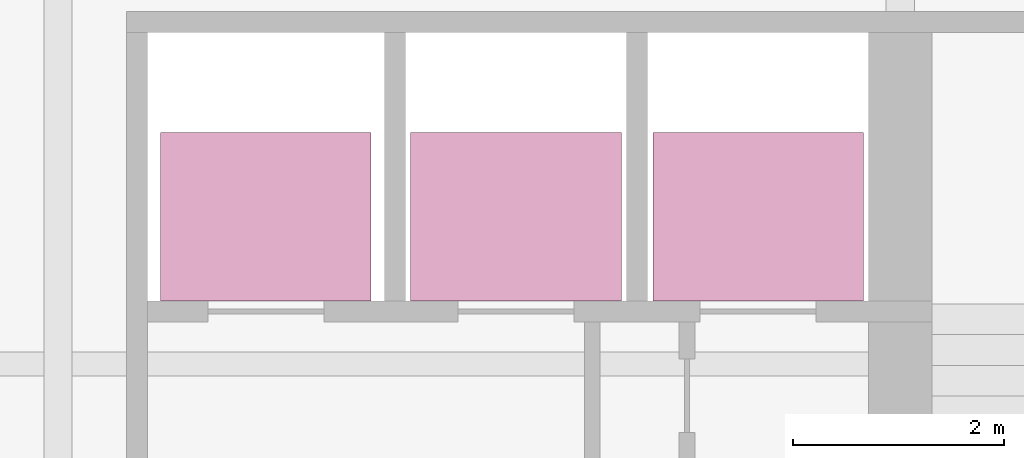
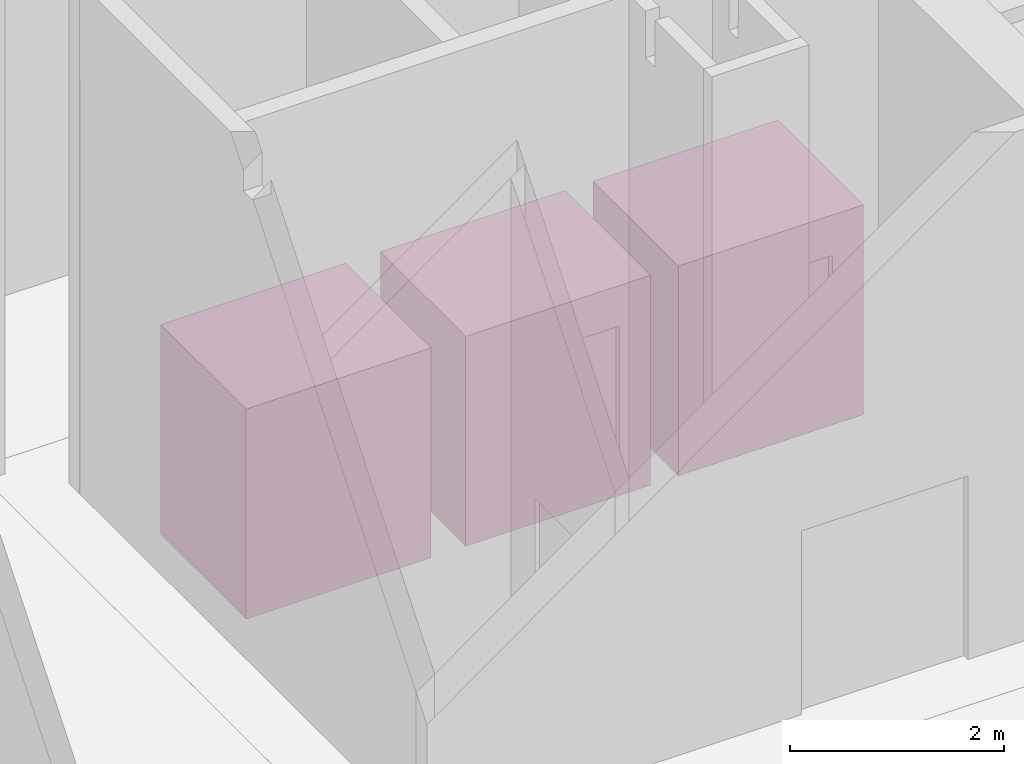
# One storey, part 25 of 25: 3 transport elements.
"""IFC4 building model written with IfcOpenShell, lengths in metres."""

from ifc_helpers import new_model, si_unit, direction, frame, origin, origin_2d, place, context, subcontext, project, spatial, rectangle, extrude, material, type_object, element, save


model = new_model("IFC4")

# Units and contexts
model_context = context("Model", 3, precision=1e-05, world=origin(), true_north=direction((0.0, 1.0)))
body_context = subcontext(model_context, "Body", "Model", "MODEL_VIEW")
ifc_project = project(units=[si_unit("LENGTHUNIT", "METRE"), si_unit("AREAUNIT", "SQUARE_METRE"), si_unit("VOLUMEUNIT", "CUBIC_METRE"), si_unit("PLANEANGLEUNIT", "RADIAN"), si_unit("MASSUNIT", "GRAM", prefix="KILO")], contexts=[model_context])

# Site, building, storey
site_placement = place(None, origin())
site = spatial("IfcSite", under=ifc_project, at=site_placement, CompositionType="ELEMENT")
building_placement = place(site_placement, origin())
building = spatial("IfcBuilding", under=site, at=building_placement, Name="Immortelle Media Tower", CompositionType="ELEMENT")
storey_placement = place(building_placement, frame((0.0, 0.0, 114.0)))
storey = spatial("IfcBuildingStorey", under=building, at=storey_placement, Name="L22", CompositionType="ELEMENT", Elevation=114.0)

# Transport elements
ifc_material = material(Name="Stainless steel AISI 304", Category="steel")
transport_element_type = type_object("IfcTransportElementType", Name="Lift car MR 2000 x 1600", PredefinedType="ELEVATOR", material=ifc_material)
for number, where, z_axis, x_axis, name in (
    (1, (9.97509765625, 37.39990234375, 0.0), (0.0, 0.0, 1.0), (1.0, 0.0, 0.0), "Lift MR1"),
    (2, (12.35009765625, 37.39990234375, 0.0), (0.0, 0.0, 1.0), (1.0, 0.0, 0.0), "Lift MR2"),
    (3, (14.64990234375, 37.39990234375, 0.0), (0.0, 0.0, 1.0), (1.0, 0.0, 0.0), "Lift MR3"),
):
    element("IfcTransportElement", number, at=place(storey_placement, frame(where, z_axis=z_axis, x_axis=x_axis)), inside=storey, type_object=transport_element_type, Name=name, PredefinedType="ELEVATOR", context=body_context, shape_type="SweptSolid", body=[
        extrude(rectangle(XDim=2.0, YDim=1.60009765625, at=origin_2d()), origin(), (0.0, 0.0, 1.0), 2.39990234375),
    ])

save(model, "model.ifc")
